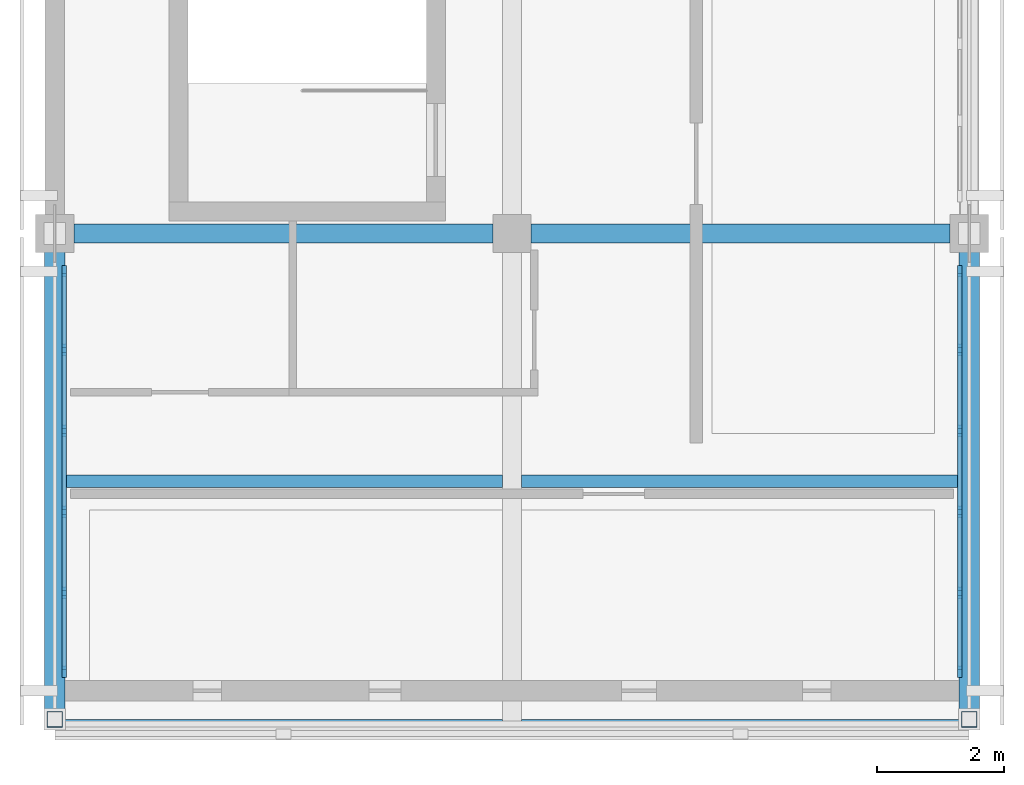
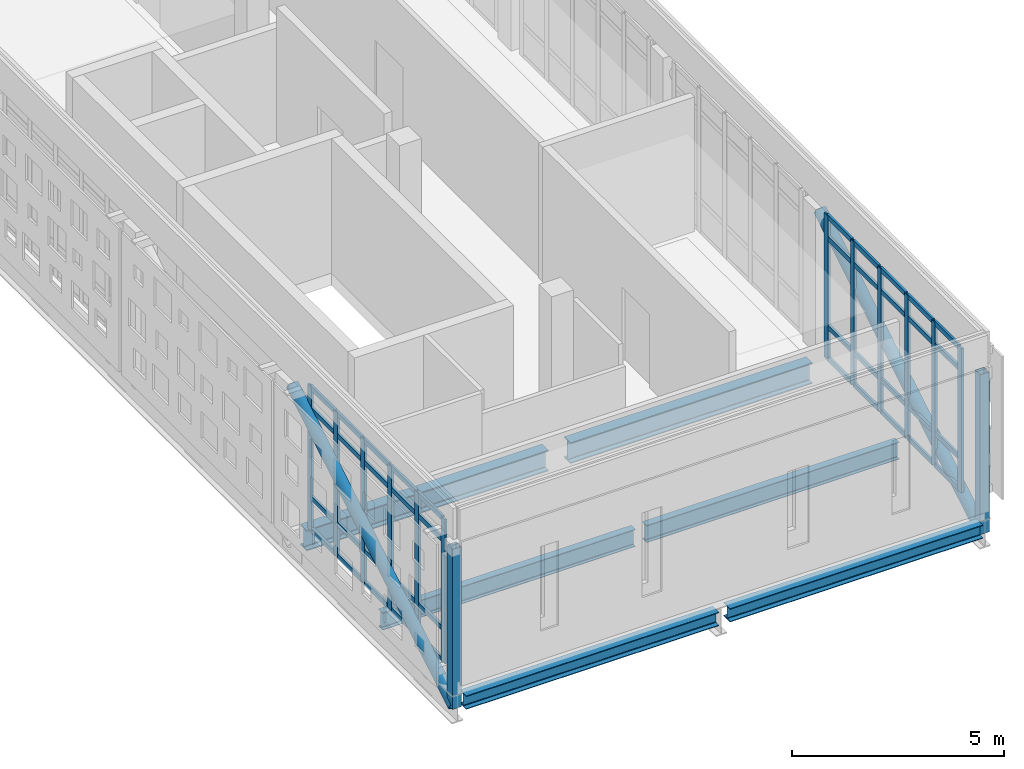
# One storey, part 2 of 19: 56 members, 6 beams, 2 elements without a shape of their own.
"""IFC4 building model written with IfcOpenShell, lengths in metres."""

from ifc_helpers import new_model, si_unit, direction, frame, origin, origin_2d, place, context, subcontext, project, spatial, rectangle, hollow_rectangle, hollow_circle, i_section, extrude, material, layer, layer_set, material_profile, profile_set, type_object, element, aggregate, save


model = new_model("IFC4")

# Units and contexts
model_context = context("Model", 3, precision=1e-05, world=origin(), true_north=direction((0.0, 1.0)))
body_context = subcontext(model_context, "Body", "Model", "MODEL_VIEW")
ifc_project = project(units=[si_unit("LENGTHUNIT", "METRE"), si_unit("AREAUNIT", "SQUARE_METRE"), si_unit("VOLUMEUNIT", "CUBIC_METRE"), si_unit("PLANEANGLEUNIT", "RADIAN"), si_unit("MASSUNIT", "GRAM", prefix="KILO")], contexts=[model_context])

# Site, building, storey
site_placement = place(None, origin())
site = spatial("IfcSite", under=ifc_project, at=site_placement, CompositionType="ELEMENT")
building_placement = place(site_placement, origin())
building = spatial("IfcBuilding", under=site, at=building_placement, Name="Valkovuoma Quantum and Materials Research Institute", CompositionType="ELEMENT")
storey_placement = place(building_placement, frame((0.0, 0.0, 38.080078125)))
storey = spatial("IfcBuildingStorey", under=building, at=storey_placement, Name="L09", CompositionType="ELEMENT", Elevation=38.080078125)

# Beams
ifc_material_1 = material(Name="Steel S355J2", Category="steel")
ifc_material_profile_1 = material_profile(ifc_material_1, i_section(OverallWidth=0.300048828125, OverallDepth=0.389892578125, WebThickness=0.010986328125, FlangeThickness=0.01904296875, FilletRadius=0.027099609375, at=origin_2d()), Name="Steel S355J2")
ifc_profile_set_1 = profile_set([ifc_material_profile_1], Name="Steel S355J2")
beam_type_1 = type_object("IfcBeamType", Name="Beam-B-HEA400", PredefinedType="SPANDREL", material=ifc_profile_set_1)
beam_1_placement = place(storey_placement, frame((0.14990234375, 21.0, -0.545166015625), z_axis=(1.0, 0.0, 0.0), x_axis=(0.0, 1.0, 0.0)))
element("IfcBeam", 1, at=beam_1_placement, inside=storey, type_object=beam_type_1, Name="L09 cantilever tip beam 1", PredefinedType="SPANDREL", context=body_context, shape_type="SweptSolid", body=[
    extrude(i_section(OverallWidth=0.300048828125, OverallDepth=0.389892578125, WebThickness=0.010986328125, FlangeThickness=0.01904296875, FilletRadius=0.027099609375, at=origin_2d()), origin(), (0.0, 0.0, 1.0), 6.900146484375),
])
beam_2_placement = place(storey_placement, frame((7.35009765625, 21.0, -0.545166015625), z_axis=(1.0, 0.0, 0.0), x_axis=(0.0, 1.0, 0.0)))
element("IfcBeam", 2, at=beam_2_placement, inside=storey, type_object=beam_type_1, Name="L09 cantilever tip beam 2", PredefinedType="SPANDREL", context=body_context, shape_type="SweptSolid", body=[
    extrude(i_section(OverallWidth=0.300048828125, OverallDepth=0.389892578125, WebThickness=0.010986328125, FlangeThickness=0.01904296875, FilletRadius=0.027099609375, at=origin_2d()), origin(), (0.0, 0.0, 1.0), 6.89990234375),
])
ifc_material_2 = material(Name="Steel S355J2", Category="steel")
ifc_material_profile_2 = material_profile(ifc_material_2, i_section(OverallWidth=0.300048828125, OverallDepth=0.60009765625, WebThickness=0.015380859375, FlangeThickness=0.030029296875, FilletRadius=0.027099609375, at=origin_2d()), Name="Steel S355J2")
ifc_profile_set_2 = profile_set([ifc_material_profile_2], Name="Steel S355J2")
beam_type_2 = type_object("IfcBeamType", Name="Beam-B-HEB600", PredefinedType="BEAM", material=ifc_profile_set_2)
beam_3_placement = place(storey_placement, frame((0.300048828125, 28.800048828125, -0.650146484375), z_axis=(1.0, 0.0, 0.0), x_axis=(0.0, 1.0, 0.0)))
element("IfcBeam", 3, at=beam_3_placement, inside=storey, type_object=beam_type_2, Name="L09 beam X-2572", PredefinedType="BEAM", context=body_context, shape_type="SweptSolid", body=[
    extrude(i_section(OverallWidth=0.300048828125, OverallDepth=0.60009765625, WebThickness=0.015380859375, FlangeThickness=0.030029296875, FilletRadius=0.027099609375, at=origin_2d()), origin(), (0.0, 0.0, 1.0), 6.599853515625),
])
beam_4_placement = place(storey_placement, frame((7.5, 28.800048828125, -0.650146484375), z_axis=(1.0, 0.0, 0.0), x_axis=(0.0, 1.0, 0.0)))
element("IfcBeam", 4, at=beam_4_placement, inside=storey, type_object=beam_type_2, Name="L09 beam X-2573", PredefinedType="BEAM", context=body_context, shape_type="SweptSolid", body=[
    extrude(i_section(OverallWidth=0.300048828125, OverallDepth=0.60009765625, WebThickness=0.015380859375, FlangeThickness=0.030029296875, FilletRadius=0.027099609375, at=origin_2d()), origin(), (0.0, 0.0, 1.0), 6.60009765625),
])
ifc_material_3 = material(Name="Steel S355J2", Category="steel")
ifc_material_profile_3 = material_profile(ifc_material_3, i_section(OverallWidth=0.199951171875, OverallDepth=0.5, WebThickness=0.01025390625, FlangeThickness=0.01611328125, FilletRadius=0.02099609375, at=origin_2d()), Name="Steel S355J2")
ifc_profile_set_3 = profile_set([ifc_material_profile_3], Name="Steel S355J2")
beam_type_3 = type_object("IfcBeamType", Name="Beam-B-IPE500", PredefinedType="BEAM", material=ifc_profile_set_3)
beam_5_placement = place(storey_placement, frame((0.14990234375, 24.89990234375, -0.60009765625), z_axis=(1.0, 0.0, 0.0), x_axis=(0.0, 1.0, 0.0)))
element("IfcBeam", 5, at=beam_5_placement, inside=storey, type_object=beam_type_3, Name="L09 cantilever mid beam 1", PredefinedType="BEAM", context=body_context, shape_type="SweptSolid", body=[
    extrude(i_section(OverallWidth=0.199951171875, OverallDepth=0.5, WebThickness=0.01025390625, FlangeThickness=0.01611328125, FilletRadius=0.02099609375, at=origin_2d()), origin(), (0.0, 0.0, 1.0), 6.900146484375),
])
beam_6_placement = place(storey_placement, frame((7.35009765625, 24.89990234375, -0.60009765625), z_axis=(1.0, 0.0, 0.0), x_axis=(0.0, 1.0, 0.0)))
element("IfcBeam", 6, at=beam_6_placement, inside=storey, type_object=beam_type_3, Name="L09 cantilever mid beam 2", PredefinedType="BEAM", context=body_context, shape_type="SweptSolid", body=[
    extrude(i_section(OverallWidth=0.199951171875, OverallDepth=0.5, WebThickness=0.01025390625, FlangeThickness=0.01611328125, FilletRadius=0.02099609375, at=origin_2d()), origin(), (0.0, 0.0, 1.0), 6.89990234375),
])

# Curtain wall, members
ifc_material_4 = material(Name="Thermally broken aluminium and triple low-E glazing", Category="aluminium")
ifc_layer = layer(ifc_material_4, 0.219970703125)
ifc_layer_set = layer_set([ifc_layer], Name="Thermally broken aluminium and triple low-E glazing")
curtain_wall_type = type_object("IfcCurtainWallType", Name="CW-CW-01", PredefinedType="NOTDEFINED", material=ifc_layer_set)
curtain_wall_1_placement = place(storey_placement, origin())
curtain_wall_1 = element("IfcCurtainWall", 7, at=curtain_wall_1_placement, inside=storey, type_object=curtain_wall_type, Name="L09 curtain wall 127", PredefinedType="NOTDEFINED")
ifc_material_5 = material(Name="Anodised aluminium 6060-T66", Category="aluminium")
ifc_material_profile_4 = material_profile(ifc_material_5, rectangle(XDim=0.06494140625, YDim=0.179931640625, at=origin_2d()), Name="Anodised aluminium 6060-T66")
ifc_profile_set_4 = profile_set([ifc_material_profile_4], Name="Anodised aluminium 6060-T66")
member_type_1 = type_object("IfcMemberType", Name="CWMull-CWM-01", PredefinedType="MULLION", material=ifc_profile_set_4)
member_1_placement = place(storey_placement, frame((0.14990234375, 21.900390625, 0.0), z_axis=(0.0, 0.0, 1.0), x_axis=(-1.0, 0.0, 0.0)))
member_1 = element("IfcMember", 8, at=member_1_placement, type_object=member_type_1, Name="CW-01 mullion 1", PredefinedType="MULLION", context=body_context, shape_type="SweptSolid", body=[
    extrude(rectangle(XDim=0.06494140625, YDim=0.179931640625, at=origin_2d()), origin(), (0.0, 0.0, 1.0), 4.159912109375),
])
member_2_placement = place(storey_placement, frame((0.14990234375, 23.142822265625, 0.0), z_axis=(0.0, 0.0, 1.0), x_axis=(-1.0, 0.0, 0.0)))
member_2 = element("IfcMember", 9, at=member_2_placement, type_object=member_type_1, Name="CW-01 mullion 2", PredefinedType="MULLION", context=body_context, shape_type="SweptSolid", body=[
    extrude(rectangle(XDim=0.06494140625, YDim=0.179931640625, at=origin_2d()), origin(), (0.0, 0.0, 1.0), 4.159912109375),
])
member_3_placement = place(storey_placement, frame((0.14990234375, 24.41796875, 0.0), z_axis=(0.0, 0.0, 1.0), x_axis=(-1.0, 0.0, 0.0)))
member_3 = element("IfcMember", 10, at=member_3_placement, type_object=member_type_1, Name="CW-01 mullion 3", PredefinedType="MULLION", context=body_context, shape_type="SweptSolid", body=[
    extrude(rectangle(XDim=0.06494140625, YDim=0.179931640625, at=origin_2d()), origin(), (0.0, 0.0, 1.0), 4.159912109375),
])
member_4_placement = place(storey_placement, frame((0.14990234375, 25.69287109375, 0.0), z_axis=(0.0, 0.0, 1.0), x_axis=(-1.0, 0.0, 0.0)))
member_4 = element("IfcMember", 11, at=member_4_placement, type_object=member_type_1, Name="CW-01 mullion 4", PredefinedType="MULLION", context=body_context, shape_type="SweptSolid", body=[
    extrude(rectangle(XDim=0.06494140625, YDim=0.179931640625, at=origin_2d()), origin(), (0.0, 0.0, 1.0), 4.159912109375),
])
member_5_placement = place(storey_placement, frame((0.14990234375, 26.968017578125, 0.0), z_axis=(0.0, 0.0, 1.0), x_axis=(-1.0, 0.0, 0.0)))
member_5 = element("IfcMember", 12, at=member_5_placement, type_object=member_type_1, Name="CW-01 mullion 5", PredefinedType="MULLION", context=body_context, shape_type="SweptSolid", body=[
    extrude(rectangle(XDim=0.06494140625, YDim=0.179931640625, at=origin_2d()), origin(), (0.0, 0.0, 1.0), 4.159912109375),
])
member_6_placement = place(storey_placement, frame((0.14990234375, 28.21044921875, 0.0), z_axis=(0.0, 0.0, 1.0), x_axis=(-1.0, 0.0, 0.0)))
member_6 = element("IfcMember", 13, at=member_6_placement, type_object=member_type_1, Name="CW-01 mullion 6", PredefinedType="MULLION", context=body_context, shape_type="SweptSolid", body=[
    extrude(rectangle(XDim=0.06494140625, YDim=0.179931640625, at=origin_2d()), origin(), (0.0, 0.0, 1.0), 4.159912109375),
])

curtain_wall_2_placement = place(storey_placement, origin())
curtain_wall_2 = element("IfcCurtainWall", 14, at=curtain_wall_2_placement, inside=storey, type_object=curtain_wall_type, Name="L09 curtain wall 128", PredefinedType="NOTDEFINED")
member_7_placement = place(storey_placement, frame((14.25, 21.900390625, 0.0), z_axis=(0.0, 0.0, 1.0), x_axis=(-1.0, 0.0, 0.0)))
member_7 = element("IfcMember", 15, at=member_7_placement, type_object=member_type_1, Name="CW-01 mullion 1", PredefinedType="MULLION", context=body_context, shape_type="SweptSolid", body=[
    extrude(rectangle(XDim=0.06494140625, YDim=0.179931640625, at=origin_2d()), origin(), (0.0, 0.0, 1.0), 4.159912109375),
])
member_8_placement = place(storey_placement, frame((14.25, 23.142822265625, 0.0), z_axis=(0.0, 0.0, 1.0), x_axis=(-1.0, 0.0, 0.0)))
member_8 = element("IfcMember", 16, at=member_8_placement, type_object=member_type_1, Name="CW-01 mullion 2", PredefinedType="MULLION", context=body_context, shape_type="SweptSolid", body=[
    extrude(rectangle(XDim=0.06494140625, YDim=0.179931640625, at=origin_2d()), origin(), (0.0, 0.0, 1.0), 4.159912109375),
])
member_9_placement = place(storey_placement, frame((14.25, 24.41796875, 0.0), z_axis=(0.0, 0.0, 1.0), x_axis=(-1.0, 0.0, 0.0)))
member_9 = element("IfcMember", 17, at=member_9_placement, type_object=member_type_1, Name="CW-01 mullion 3", PredefinedType="MULLION", context=body_context, shape_type="SweptSolid", body=[
    extrude(rectangle(XDim=0.06494140625, YDim=0.179931640625, at=origin_2d()), origin(), (0.0, 0.0, 1.0), 4.159912109375),
])
member_10_placement = place(storey_placement, frame((14.25, 25.69287109375, 0.0), z_axis=(0.0, 0.0, 1.0), x_axis=(-1.0, 0.0, 0.0)))
member_10 = element("IfcMember", 18, at=member_10_placement, type_object=member_type_1, Name="CW-01 mullion 4", PredefinedType="MULLION", context=body_context, shape_type="SweptSolid", body=[
    extrude(rectangle(XDim=0.06494140625, YDim=0.179931640625, at=origin_2d()), origin(), (0.0, 0.0, 1.0), 4.159912109375),
])
member_11_placement = place(storey_placement, frame((14.25, 26.968017578125, 0.0), z_axis=(0.0, 0.0, 1.0), x_axis=(-1.0, 0.0, 0.0)))
member_11 = element("IfcMember", 19, at=member_11_placement, type_object=member_type_1, Name="CW-01 mullion 5", PredefinedType="MULLION", context=body_context, shape_type="SweptSolid", body=[
    extrude(rectangle(XDim=0.06494140625, YDim=0.179931640625, at=origin_2d()), origin(), (0.0, 0.0, 1.0), 4.159912109375),
])
member_12_placement = place(storey_placement, frame((14.25, 28.21044921875, 0.0), z_axis=(0.0, 0.0, 1.0), x_axis=(-1.0, 0.0, 0.0)))
member_12 = element("IfcMember", 20, at=member_12_placement, type_object=member_type_1, Name="CW-01 mullion 6", PredefinedType="MULLION", context=body_context, shape_type="SweptSolid", body=[
    extrude(rectangle(XDim=0.06494140625, YDim=0.179931640625, at=origin_2d()), origin(), (0.0, 0.0, 1.0), 4.159912109375),
])

# Member
ifc_material_6 = material(Name="Anodised aluminium 6060-T66", Category="aluminium")
ifc_material_profile_5 = material_profile(ifc_material_6, rectangle(XDim=0.06494140625, YDim=0.139892578125, at=origin_2d()), Name="Anodised aluminium 6060-T66")
ifc_profile_set_5 = profile_set([ifc_material_profile_5], Name="Anodised aluminium 6060-T66")
member_type_2 = type_object("IfcMemberType", Name="CWTran-CWT-01", PredefinedType="USERDEFINED", material=ifc_profile_set_5)
member_13_placement = place(storey_placement, frame((0.14990234375, 21.932861328125, 0.032470703125), z_axis=(0.0, 1.0, 0.0), x_axis=(-1.0, 0.0, 0.0)))
member_13 = element("IfcMember", 21, at=member_13_placement, type_object=member_type_2, Name="CW-01 transom 1.1", ObjectType="TRANSOM", PredefinedType="USERDEFINED", context=body_context, shape_type="SweptSolid", body=[
    extrude(rectangle(XDim=0.06494140625, YDim=0.139892578125, at=origin_2d()), origin(), (0.0, 0.0, 1.0), 1.177490234375),
])

member_14_placement = place(storey_placement, frame((0.14990234375, 21.932861328125, 0.949951171875), z_axis=(0.0, 1.0, 0.0), x_axis=(-1.0, 0.0, 0.0)))
member_14 = element("IfcMember", 22, at=member_14_placement, type_object=member_type_2, Name="CW-01 transom 1.2", ObjectType="TRANSOM", PredefinedType="USERDEFINED", context=body_context, shape_type="SweptSolid", body=[
    extrude(rectangle(XDim=0.06494140625, YDim=0.139892578125, at=origin_2d()), origin(), (0.0, 0.0, 1.0), 1.177490234375),
])

member_15_placement = place(storey_placement, frame((0.14990234375, 21.932861328125, 3.510009765625), z_axis=(0.0, 1.0, 0.0), x_axis=(-1.0, 0.0, 0.0)))
member_15 = element("IfcMember", 23, at=member_15_placement, type_object=member_type_2, Name="CW-01 transom 1.3", ObjectType="TRANSOM", PredefinedType="USERDEFINED", context=body_context, shape_type="SweptSolid", body=[
    extrude(rectangle(XDim=0.06494140625, YDim=0.139892578125, at=origin_2d()), origin(), (0.0, 0.0, 1.0), 1.177490234375),
])

member_16_placement = place(storey_placement, frame((0.14990234375, 21.932861328125, 4.12744140625), z_axis=(0.0, 1.0, 0.0), x_axis=(-1.0, 0.0, 0.0)))
member_16 = element("IfcMember", 24, at=member_16_placement, type_object=member_type_2, Name="CW-01 transom 1.4", ObjectType="TRANSOM", PredefinedType="USERDEFINED", context=body_context, shape_type="SweptSolid", body=[
    extrude(rectangle(XDim=0.06494140625, YDim=0.139892578125, at=origin_2d()), origin(), (0.0, 0.0, 1.0), 1.177490234375),
])

member_17_placement = place(storey_placement, frame((0.14990234375, 23.17529296875, 0.032470703125), z_axis=(0.0, 1.0, 0.0), x_axis=(-1.0, 0.0, 0.0)))
member_17 = element("IfcMember", 25, at=member_17_placement, type_object=member_type_2, Name="CW-01 transom 2.1", ObjectType="TRANSOM", PredefinedType="USERDEFINED", context=body_context, shape_type="SweptSolid", body=[
    extrude(rectangle(XDim=0.06494140625, YDim=0.139892578125, at=origin_2d()), origin(), (0.0, 0.0, 1.0), 1.210205078125),
])

member_18_placement = place(storey_placement, frame((0.14990234375, 23.17529296875, 0.949951171875), z_axis=(0.0, 1.0, 0.0), x_axis=(-1.0, 0.0, 0.0)))
member_18 = element("IfcMember", 26, at=member_18_placement, type_object=member_type_2, Name="CW-01 transom 2.2", ObjectType="TRANSOM", PredefinedType="USERDEFINED", context=body_context, shape_type="SweptSolid", body=[
    extrude(rectangle(XDim=0.06494140625, YDim=0.139892578125, at=origin_2d()), origin(), (0.0, 0.0, 1.0), 1.210205078125),
])

member_19_placement = place(storey_placement, frame((0.14990234375, 23.17529296875, 3.510009765625), z_axis=(0.0, 1.0, 0.0), x_axis=(-1.0, 0.0, 0.0)))
member_19 = element("IfcMember", 27, at=member_19_placement, type_object=member_type_2, Name="CW-01 transom 2.3", ObjectType="TRANSOM", PredefinedType="USERDEFINED", context=body_context, shape_type="SweptSolid", body=[
    extrude(rectangle(XDim=0.06494140625, YDim=0.139892578125, at=origin_2d()), origin(), (0.0, 0.0, 1.0), 1.210205078125),
])

member_20_placement = place(storey_placement, frame((0.14990234375, 23.17529296875, 4.12744140625), z_axis=(0.0, 1.0, 0.0), x_axis=(-1.0, 0.0, 0.0)))
member_20 = element("IfcMember", 28, at=member_20_placement, type_object=member_type_2, Name="CW-01 transom 2.4", ObjectType="TRANSOM", PredefinedType="USERDEFINED", context=body_context, shape_type="SweptSolid", body=[
    extrude(rectangle(XDim=0.06494140625, YDim=0.139892578125, at=origin_2d()), origin(), (0.0, 0.0, 1.0), 1.210205078125),
])

member_21_placement = place(storey_placement, frame((0.14990234375, 24.450439453125, 0.032470703125), z_axis=(0.0, 1.0, 0.0), x_axis=(-1.0, 0.0, 0.0)))
member_21 = element("IfcMember", 29, at=member_21_placement, type_object=member_type_2, Name="CW-01 transom 3.1", ObjectType="TRANSOM", PredefinedType="USERDEFINED", context=body_context, shape_type="SweptSolid", body=[
    extrude(rectangle(XDim=0.06494140625, YDim=0.139892578125, at=origin_2d()), origin(), (0.0, 0.0, 1.0), 1.2099609375),
])

member_22_placement = place(storey_placement, frame((0.14990234375, 24.450439453125, 0.949951171875), z_axis=(0.0, 1.0, 0.0), x_axis=(-1.0, 0.0, 0.0)))
member_22 = element("IfcMember", 30, at=member_22_placement, type_object=member_type_2, Name="CW-01 transom 3.2", ObjectType="TRANSOM", PredefinedType="USERDEFINED", context=body_context, shape_type="SweptSolid", body=[
    extrude(rectangle(XDim=0.06494140625, YDim=0.139892578125, at=origin_2d()), origin(), (0.0, 0.0, 1.0), 1.2099609375),
])

member_23_placement = place(storey_placement, frame((0.14990234375, 24.450439453125, 3.510009765625), z_axis=(0.0, 1.0, 0.0), x_axis=(-1.0, 0.0, 0.0)))
member_23 = element("IfcMember", 31, at=member_23_placement, type_object=member_type_2, Name="CW-01 transom 3.3", ObjectType="TRANSOM", PredefinedType="USERDEFINED", context=body_context, shape_type="SweptSolid", body=[
    extrude(rectangle(XDim=0.06494140625, YDim=0.139892578125, at=origin_2d()), origin(), (0.0, 0.0, 1.0), 1.2099609375),
])

member_24_placement = place(storey_placement, frame((0.14990234375, 24.450439453125, 4.12744140625), z_axis=(0.0, 1.0, 0.0), x_axis=(-1.0, 0.0, 0.0)))
member_24 = element("IfcMember", 32, at=member_24_placement, type_object=member_type_2, Name="CW-01 transom 3.4", ObjectType="TRANSOM", PredefinedType="USERDEFINED", context=body_context, shape_type="SweptSolid", body=[
    extrude(rectangle(XDim=0.06494140625, YDim=0.139892578125, at=origin_2d()), origin(), (0.0, 0.0, 1.0), 1.2099609375),
])

member_25_placement = place(storey_placement, frame((0.14990234375, 25.725341796875, 0.032470703125), z_axis=(0.0, 1.0, 0.0), x_axis=(-1.0, 0.0, 0.0)))
member_25 = element("IfcMember", 33, at=member_25_placement, type_object=member_type_2, Name="CW-01 transom 4.1", ObjectType="TRANSOM", PredefinedType="USERDEFINED", context=body_context, shape_type="SweptSolid", body=[
    extrude(rectangle(XDim=0.06494140625, YDim=0.139892578125, at=origin_2d()), origin(), (0.0, 0.0, 1.0), 1.2099609375),
])

member_26_placement = place(storey_placement, frame((0.14990234375, 25.725341796875, 0.949951171875), z_axis=(0.0, 1.0, 0.0), x_axis=(-1.0, 0.0, 0.0)))
member_26 = element("IfcMember", 34, at=member_26_placement, type_object=member_type_2, Name="CW-01 transom 4.2", ObjectType="TRANSOM", PredefinedType="USERDEFINED", context=body_context, shape_type="SweptSolid", body=[
    extrude(rectangle(XDim=0.06494140625, YDim=0.139892578125, at=origin_2d()), origin(), (0.0, 0.0, 1.0), 1.2099609375),
])

member_27_placement = place(storey_placement, frame((0.14990234375, 25.725341796875, 3.510009765625), z_axis=(0.0, 1.0, 0.0), x_axis=(-1.0, 0.0, 0.0)))
member_27 = element("IfcMember", 35, at=member_27_placement, type_object=member_type_2, Name="CW-01 transom 4.3", ObjectType="TRANSOM", PredefinedType="USERDEFINED", context=body_context, shape_type="SweptSolid", body=[
    extrude(rectangle(XDim=0.06494140625, YDim=0.139892578125, at=origin_2d()), origin(), (0.0, 0.0, 1.0), 1.2099609375),
])

member_28_placement = place(storey_placement, frame((0.14990234375, 25.725341796875, 4.12744140625), z_axis=(0.0, 1.0, 0.0), x_axis=(-1.0, 0.0, 0.0)))
member_28 = element("IfcMember", 36, at=member_28_placement, type_object=member_type_2, Name="CW-01 transom 4.4", ObjectType="TRANSOM", PredefinedType="USERDEFINED", context=body_context, shape_type="SweptSolid", body=[
    extrude(rectangle(XDim=0.06494140625, YDim=0.139892578125, at=origin_2d()), origin(), (0.0, 0.0, 1.0), 1.2099609375),
])

member_29_placement = place(storey_placement, frame((0.14990234375, 27.00048828125, 0.032470703125), z_axis=(0.0, 1.0, 0.0), x_axis=(-1.0, 0.0, 0.0)))
member_29 = element("IfcMember", 37, at=member_29_placement, type_object=member_type_2, Name="CW-01 transom 5.1", ObjectType="TRANSOM", PredefinedType="USERDEFINED", context=body_context, shape_type="SweptSolid", body=[
    extrude(rectangle(XDim=0.06494140625, YDim=0.139892578125, at=origin_2d()), origin(), (0.0, 0.0, 1.0), 1.177490234375),
])

member_30_placement = place(storey_placement, frame((0.14990234375, 27.00048828125, 0.949951171875), z_axis=(0.0, 1.0, 0.0), x_axis=(-1.0, 0.0, 0.0)))
member_30 = element("IfcMember", 38, at=member_30_placement, type_object=member_type_2, Name="CW-01 transom 5.2", ObjectType="TRANSOM", PredefinedType="USERDEFINED", context=body_context, shape_type="SweptSolid", body=[
    extrude(rectangle(XDim=0.06494140625, YDim=0.139892578125, at=origin_2d()), origin(), (0.0, 0.0, 1.0), 1.177490234375),
])

member_31_placement = place(storey_placement, frame((0.14990234375, 27.00048828125, 3.510009765625), z_axis=(0.0, 1.0, 0.0), x_axis=(-1.0, 0.0, 0.0)))
member_31 = element("IfcMember", 39, at=member_31_placement, type_object=member_type_2, Name="CW-01 transom 5.3", ObjectType="TRANSOM", PredefinedType="USERDEFINED", context=body_context, shape_type="SweptSolid", body=[
    extrude(rectangle(XDim=0.06494140625, YDim=0.139892578125, at=origin_2d()), origin(), (0.0, 0.0, 1.0), 1.177490234375),
])

member_32_placement = place(storey_placement, frame((0.14990234375, 27.00048828125, 4.12744140625), z_axis=(0.0, 1.0, 0.0), x_axis=(-1.0, 0.0, 0.0)))
member_32 = element("IfcMember", 40, at=member_32_placement, type_object=member_type_2, Name="CW-01 transom 5.4", ObjectType="TRANSOM", PredefinedType="USERDEFINED", context=body_context, shape_type="SweptSolid", body=[
    extrude(rectangle(XDim=0.06494140625, YDim=0.139892578125, at=origin_2d()), origin(), (0.0, 0.0, 1.0), 1.177490234375),
])

aggregate(curtain_wall_1, [member_1, member_2, member_3, member_4, member_5, member_6, member_13, member_14, member_15, member_16, member_17, member_18, member_19, member_20, member_21, member_22, member_23, member_24, member_25, member_26, member_27, member_28, member_29, member_30, member_31, member_32])

member_33_placement = place(storey_placement, frame((14.25, 21.932861328125, 0.032470703125), z_axis=(0.0, 1.0, 0.0), x_axis=(-1.0, 0.0, 0.0)))
member_33 = element("IfcMember", 41, at=member_33_placement, type_object=member_type_2, Name="CW-01 transom 1.1", ObjectType="TRANSOM", PredefinedType="USERDEFINED", context=body_context, shape_type="SweptSolid", body=[
    extrude(rectangle(XDim=0.06494140625, YDim=0.139892578125, at=origin_2d()), origin(), (0.0, 0.0, 1.0), 1.177490234375),
])

member_34_placement = place(storey_placement, frame((14.25, 21.932861328125, 0.949951171875), z_axis=(0.0, 1.0, 0.0), x_axis=(-1.0, 0.0, 0.0)))
member_34 = element("IfcMember", 42, at=member_34_placement, type_object=member_type_2, Name="CW-01 transom 1.2", ObjectType="TRANSOM", PredefinedType="USERDEFINED", context=body_context, shape_type="SweptSolid", body=[
    extrude(rectangle(XDim=0.06494140625, YDim=0.139892578125, at=origin_2d()), origin(), (0.0, 0.0, 1.0), 1.177490234375),
])

member_35_placement = place(storey_placement, frame((14.25, 21.932861328125, 3.510009765625), z_axis=(0.0, 1.0, 0.0), x_axis=(-1.0, 0.0, 0.0)))
member_35 = element("IfcMember", 43, at=member_35_placement, type_object=member_type_2, Name="CW-01 transom 1.3", ObjectType="TRANSOM", PredefinedType="USERDEFINED", context=body_context, shape_type="SweptSolid", body=[
    extrude(rectangle(XDim=0.06494140625, YDim=0.139892578125, at=origin_2d()), origin(), (0.0, 0.0, 1.0), 1.177490234375),
])

member_36_placement = place(storey_placement, frame((14.25, 21.932861328125, 4.12744140625), z_axis=(0.0, 1.0, 0.0), x_axis=(-1.0, 0.0, 0.0)))
member_36 = element("IfcMember", 44, at=member_36_placement, type_object=member_type_2, Name="CW-01 transom 1.4", ObjectType="TRANSOM", PredefinedType="USERDEFINED", context=body_context, shape_type="SweptSolid", body=[
    extrude(rectangle(XDim=0.06494140625, YDim=0.139892578125, at=origin_2d()), origin(), (0.0, 0.0, 1.0), 1.177490234375),
])

member_37_placement = place(storey_placement, frame((14.25, 23.17529296875, 0.032470703125), z_axis=(0.0, 1.0, 0.0), x_axis=(-1.0, 0.0, 0.0)))
member_37 = element("IfcMember", 45, at=member_37_placement, type_object=member_type_2, Name="CW-01 transom 2.1", ObjectType="TRANSOM", PredefinedType="USERDEFINED", context=body_context, shape_type="SweptSolid", body=[
    extrude(rectangle(XDim=0.06494140625, YDim=0.139892578125, at=origin_2d()), origin(), (0.0, 0.0, 1.0), 1.210205078125),
])

member_38_placement = place(storey_placement, frame((14.25, 23.17529296875, 0.949951171875), z_axis=(0.0, 1.0, 0.0), x_axis=(-1.0, 0.0, 0.0)))
member_38 = element("IfcMember", 46, at=member_38_placement, type_object=member_type_2, Name="CW-01 transom 2.2", ObjectType="TRANSOM", PredefinedType="USERDEFINED", context=body_context, shape_type="SweptSolid", body=[
    extrude(rectangle(XDim=0.06494140625, YDim=0.139892578125, at=origin_2d()), origin(), (0.0, 0.0, 1.0), 1.210205078125),
])

member_39_placement = place(storey_placement, frame((14.25, 23.17529296875, 3.510009765625), z_axis=(0.0, 1.0, 0.0), x_axis=(-1.0, 0.0, 0.0)))
member_39 = element("IfcMember", 47, at=member_39_placement, type_object=member_type_2, Name="CW-01 transom 2.3", ObjectType="TRANSOM", PredefinedType="USERDEFINED", context=body_context, shape_type="SweptSolid", body=[
    extrude(rectangle(XDim=0.06494140625, YDim=0.139892578125, at=origin_2d()), origin(), (0.0, 0.0, 1.0), 1.210205078125),
])

member_40_placement = place(storey_placement, frame((14.25, 23.17529296875, 4.12744140625), z_axis=(0.0, 1.0, 0.0), x_axis=(-1.0, 0.0, 0.0)))
member_40 = element("IfcMember", 48, at=member_40_placement, type_object=member_type_2, Name="CW-01 transom 2.4", ObjectType="TRANSOM", PredefinedType="USERDEFINED", context=body_context, shape_type="SweptSolid", body=[
    extrude(rectangle(XDim=0.06494140625, YDim=0.139892578125, at=origin_2d()), origin(), (0.0, 0.0, 1.0), 1.210205078125),
])

member_41_placement = place(storey_placement, frame((14.25, 24.450439453125, 0.032470703125), z_axis=(0.0, 1.0, 0.0), x_axis=(-1.0, 0.0, 0.0)))
member_41 = element("IfcMember", 49, at=member_41_placement, type_object=member_type_2, Name="CW-01 transom 3.1", ObjectType="TRANSOM", PredefinedType="USERDEFINED", context=body_context, shape_type="SweptSolid", body=[
    extrude(rectangle(XDim=0.06494140625, YDim=0.139892578125, at=origin_2d()), origin(), (0.0, 0.0, 1.0), 1.2099609375),
])

member_42_placement = place(storey_placement, frame((14.25, 24.450439453125, 0.949951171875), z_axis=(0.0, 1.0, 0.0), x_axis=(-1.0, 0.0, 0.0)))
member_42 = element("IfcMember", 50, at=member_42_placement, type_object=member_type_2, Name="CW-01 transom 3.2", ObjectType="TRANSOM", PredefinedType="USERDEFINED", context=body_context, shape_type="SweptSolid", body=[
    extrude(rectangle(XDim=0.06494140625, YDim=0.139892578125, at=origin_2d()), origin(), (0.0, 0.0, 1.0), 1.2099609375),
])

member_43_placement = place(storey_placement, frame((14.25, 24.450439453125, 3.510009765625), z_axis=(0.0, 1.0, 0.0), x_axis=(-1.0, 0.0, 0.0)))
member_43 = element("IfcMember", 51, at=member_43_placement, type_object=member_type_2, Name="CW-01 transom 3.3", ObjectType="TRANSOM", PredefinedType="USERDEFINED", context=body_context, shape_type="SweptSolid", body=[
    extrude(rectangle(XDim=0.06494140625, YDim=0.139892578125, at=origin_2d()), origin(), (0.0, 0.0, 1.0), 1.2099609375),
])

member_44_placement = place(storey_placement, frame((14.25, 24.450439453125, 4.12744140625), z_axis=(0.0, 1.0, 0.0), x_axis=(-1.0, 0.0, 0.0)))
member_44 = element("IfcMember", 52, at=member_44_placement, type_object=member_type_2, Name="CW-01 transom 3.4", ObjectType="TRANSOM", PredefinedType="USERDEFINED", context=body_context, shape_type="SweptSolid", body=[
    extrude(rectangle(XDim=0.06494140625, YDim=0.139892578125, at=origin_2d()), origin(), (0.0, 0.0, 1.0), 1.2099609375),
])

member_45_placement = place(storey_placement, frame((14.25, 25.725341796875, 0.032470703125), z_axis=(0.0, 1.0, 0.0), x_axis=(-1.0, 0.0, 0.0)))
member_45 = element("IfcMember", 53, at=member_45_placement, type_object=member_type_2, Name="CW-01 transom 4.1", ObjectType="TRANSOM", PredefinedType="USERDEFINED", context=body_context, shape_type="SweptSolid", body=[
    extrude(rectangle(XDim=0.06494140625, YDim=0.139892578125, at=origin_2d()), origin(), (0.0, 0.0, 1.0), 1.2099609375),
])

member_46_placement = place(storey_placement, frame((14.25, 25.725341796875, 0.949951171875), z_axis=(0.0, 1.0, 0.0), x_axis=(-1.0, 0.0, 0.0)))
member_46 = element("IfcMember", 54, at=member_46_placement, type_object=member_type_2, Name="CW-01 transom 4.2", ObjectType="TRANSOM", PredefinedType="USERDEFINED", context=body_context, shape_type="SweptSolid", body=[
    extrude(rectangle(XDim=0.06494140625, YDim=0.139892578125, at=origin_2d()), origin(), (0.0, 0.0, 1.0), 1.2099609375),
])

member_47_placement = place(storey_placement, frame((14.25, 25.725341796875, 3.510009765625), z_axis=(0.0, 1.0, 0.0), x_axis=(-1.0, 0.0, 0.0)))
member_47 = element("IfcMember", 55, at=member_47_placement, type_object=member_type_2, Name="CW-01 transom 4.3", ObjectType="TRANSOM", PredefinedType="USERDEFINED", context=body_context, shape_type="SweptSolid", body=[
    extrude(rectangle(XDim=0.06494140625, YDim=0.139892578125, at=origin_2d()), origin(), (0.0, 0.0, 1.0), 1.2099609375),
])

member_48_placement = place(storey_placement, frame((14.25, 25.725341796875, 4.12744140625), z_axis=(0.0, 1.0, 0.0), x_axis=(-1.0, 0.0, 0.0)))
member_48 = element("IfcMember", 56, at=member_48_placement, type_object=member_type_2, Name="CW-01 transom 4.4", ObjectType="TRANSOM", PredefinedType="USERDEFINED", context=body_context, shape_type="SweptSolid", body=[
    extrude(rectangle(XDim=0.06494140625, YDim=0.139892578125, at=origin_2d()), origin(), (0.0, 0.0, 1.0), 1.2099609375),
])

member_49_placement = place(storey_placement, frame((14.25, 27.00048828125, 0.032470703125), z_axis=(0.0, 1.0, 0.0), x_axis=(-1.0, 0.0, 0.0)))
member_49 = element("IfcMember", 57, at=member_49_placement, type_object=member_type_2, Name="CW-01 transom 5.1", ObjectType="TRANSOM", PredefinedType="USERDEFINED", context=body_context, shape_type="SweptSolid", body=[
    extrude(rectangle(XDim=0.06494140625, YDim=0.139892578125, at=origin_2d()), origin(), (0.0, 0.0, 1.0), 1.177490234375),
])

member_50_placement = place(storey_placement, frame((14.25, 27.00048828125, 0.949951171875), z_axis=(0.0, 1.0, 0.0), x_axis=(-1.0, 0.0, 0.0)))
member_50 = element("IfcMember", 58, at=member_50_placement, type_object=member_type_2, Name="CW-01 transom 5.2", ObjectType="TRANSOM", PredefinedType="USERDEFINED", context=body_context, shape_type="SweptSolid", body=[
    extrude(rectangle(XDim=0.06494140625, YDim=0.139892578125, at=origin_2d()), origin(), (0.0, 0.0, 1.0), 1.177490234375),
])

member_51_placement = place(storey_placement, frame((14.25, 27.00048828125, 3.510009765625), z_axis=(0.0, 1.0, 0.0), x_axis=(-1.0, 0.0, 0.0)))
member_51 = element("IfcMember", 59, at=member_51_placement, type_object=member_type_2, Name="CW-01 transom 5.3", ObjectType="TRANSOM", PredefinedType="USERDEFINED", context=body_context, shape_type="SweptSolid", body=[
    extrude(rectangle(XDim=0.06494140625, YDim=0.139892578125, at=origin_2d()), origin(), (0.0, 0.0, 1.0), 1.177490234375),
])

member_52_placement = place(storey_placement, frame((14.25, 27.00048828125, 4.12744140625), z_axis=(0.0, 1.0, 0.0), x_axis=(-1.0, 0.0, 0.0)))
member_52 = element("IfcMember", 60, at=member_52_placement, type_object=member_type_2, Name="CW-01 transom 5.4", ObjectType="TRANSOM", PredefinedType="USERDEFINED", context=body_context, shape_type="SweptSolid", body=[
    extrude(rectangle(XDim=0.06494140625, YDim=0.139892578125, at=origin_2d()), origin(), (0.0, 0.0, 1.0), 1.177490234375),
])

aggregate(curtain_wall_2, [member_7, member_8, member_9, member_10, member_11, member_12, member_33, member_34, member_35, member_36, member_37, member_38, member_39, member_40, member_41, member_42, member_43, member_44, member_45, member_46, member_47, member_48, member_49, member_50, member_51, member_52])

# Members
ifc_material_7 = material(Name="Steel S355J2H", Category="steel")
ifc_material_profile_6 = material_profile(ifc_material_7, hollow_circle(Radius=0.161865234375, WallThickness=0.01611328125, at=origin_2d()), Name="Steel S355J2H")
ifc_profile_set_6 = profile_set([ifc_material_profile_6], Name="Steel S355J2H")
member_type_3 = type_object("IfcMemberType", Name="Mem-M-BRC324", PredefinedType="BRACE", material=ifc_profile_set_6)
for number, where, z_axis, x_axis, name in (
    (61, (0.0, 21.14990234375, -0.75), (0.0, 0.856514587562, 0.516122816095), (-1.0, 0.0, 0.0), "L09 cantilever overhang diagonal 0"),
    (62, (14.39990234375, 21.14990234375, -0.75), (0.0, 0.856514587562, 0.516122816095), (-1.0, 0.0, 0.0), "L09 cantilever overhang diagonal 1"),
):
    element("IfcMember", number, at=place(storey_placement, frame(where, z_axis=z_axis, x_axis=x_axis)), inside=storey, type_object=member_type_3, Name=name, PredefinedType="BRACE", context=body_context, shape_type="SweptSolid", body=[
        extrude(hollow_circle(Radius=0.161865234375, WallThickness=0.01611328125, at=origin_2d()), origin(), (0.0, 0.0, 1.0), 8.931640625),
    ])
ifc_material_8 = material(Name="Steel S355J2H", Category="steel")
ifc_material_profile_7 = material_profile(ifc_material_8, hollow_rectangle(XDim=0.25, YDim=0.25, WallThickness=0.012451171875, at=origin_2d()), Name="Steel S355J2H")
ifc_profile_set_7 = profile_set([ifc_material_profile_7], Name="Steel S355J2H")
member_type_4 = type_object("IfcMemberType", Name="Mem-M-STR250", PredefinedType="STRUT", material=ifc_profile_set_7)
for number, where, z_axis, x_axis, name in (
    (63, (0.0, 21.14990234375, -0.75), (0.0, 0.0, 1.0), (1.0, 0.0, 0.0), "L09 cantilever tip strut 0"),
    (64, (14.39990234375, 21.14990234375, -0.75), (0.0, 0.0, 1.0), (1.0, 0.0, 0.0), "L09 cantilever tip strut 1"),
):
    element("IfcMember", number, at=place(storey_placement, frame(where, z_axis=z_axis, x_axis=x_axis)), inside=storey, type_object=member_type_4, Name=name, PredefinedType="STRUT", context=body_context, shape_type="SweptSolid", body=[
        extrude(hollow_rectangle(XDim=0.25, YDim=0.25, WallThickness=0.012451171875, at=origin_2d()), origin(), (0.0, 0.0, 1.0), 4.60986328125),
    ])

save(model, "model.ifc")
